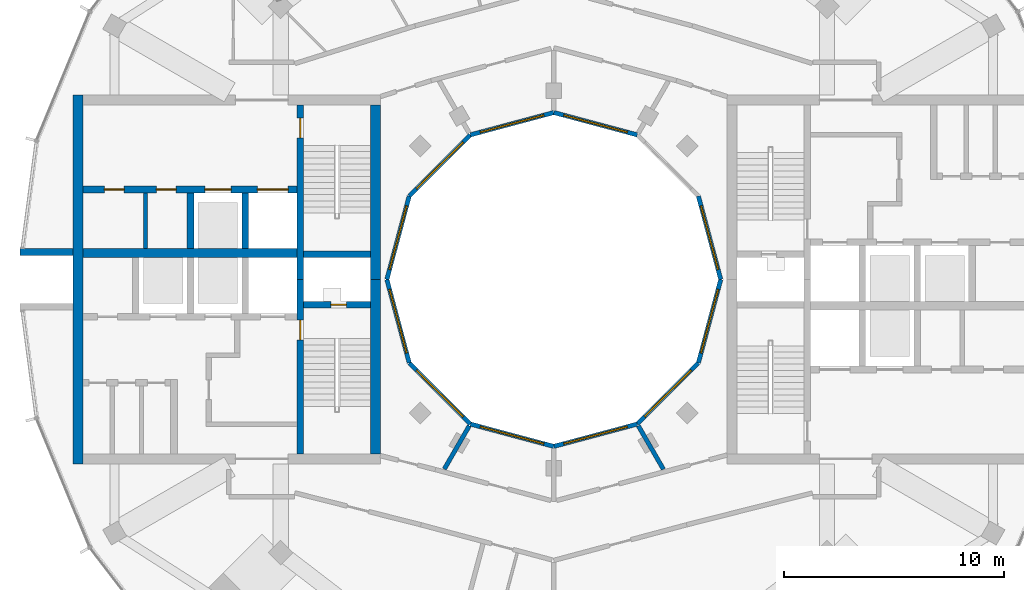
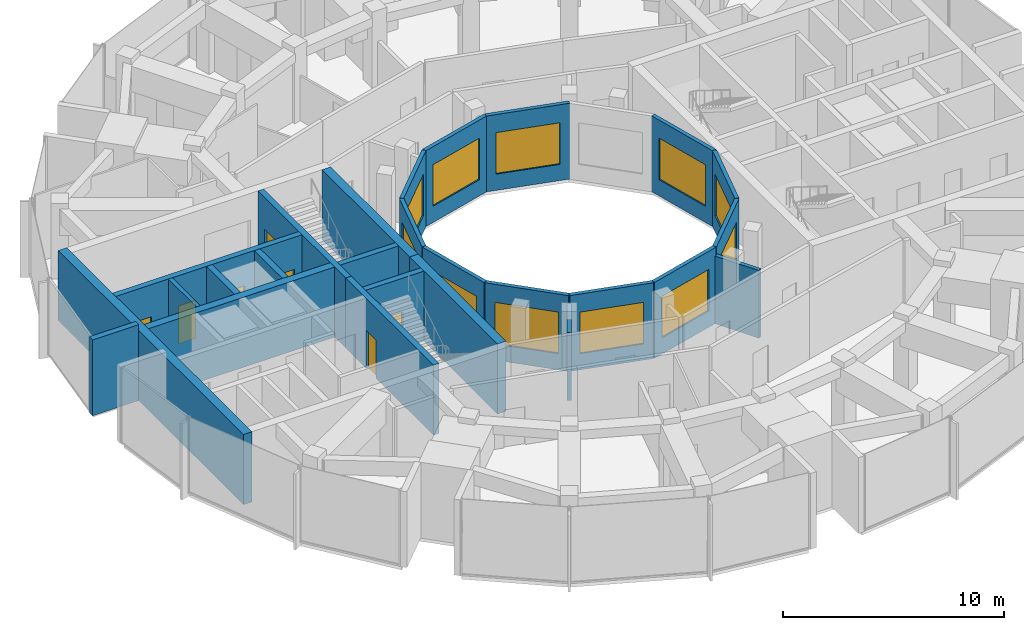
# One storey, part 9 of 14: 26 walls, 11 windows, 7 doors, 18 openings.
"""IFC4 building model written with IfcOpenShell, lengths in metres."""

from ifc_helpers import new_model, si_unit, direction, frame, frame_2d, origin, place, context, subcontext, project, spatial, rectangle, extrude, material, layer, layer_set, type_object, element, fill, save


model = new_model("IFC4")

# Units and contexts
model_context = context("Model", 3, precision=1e-05, world=origin(), true_north=direction((0.0, 1.0)))
body_context = subcontext(model_context, "Body", "Model", "MODEL_VIEW")
ifc_project = project(units=[si_unit("LENGTHUNIT", "METRE"), si_unit("AREAUNIT", "SQUARE_METRE"), si_unit("VOLUMEUNIT", "CUBIC_METRE"), si_unit("PLANEANGLEUNIT", "RADIAN"), si_unit("MASSUNIT", "GRAM", prefix="KILO")], contexts=[model_context])

# Site, building, storey
site_placement = place(None, origin())
site = spatial("IfcSite", under=ifc_project, at=site_placement, CompositionType="ELEMENT")
building_placement = place(site_placement, origin())
building = spatial("IfcBuilding", under=site, at=building_placement, Name="Torre Brocal", CompositionType="ELEMENT")
storey_placement = place(building_placement, frame((0.0, 0.0, 288.300048828125)))
storey = spatial("IfcBuildingStorey", under=building, at=storey_placement, Name="L66", CompositionType="ELEMENT", Elevation=288.300048828125)

# Wall
ifc_material_1 = material(Name="Masonry block", Category="masonry")
ifc_layer_1 = layer(ifc_material_1, 0.199951171875)
ifc_layer_set_1 = layer_set([ifc_layer_1], Name="Masonry block")
wall_type_1 = type_object("IfcWallType", Name="CORE PARTITION 200", PredefinedType="PARTITIONING", material=ifc_layer_set_1)
wall_1_placement = place(storey_placement, frame((61.39990234375, 78.949951171875, 0.0), z_axis=(0.0, 0.0, 1.0), x_axis=(0.0, -1.0, 0.0)))
element("IfcWall", 1, at=wall_1_placement, inside=storey, type_object=wall_type_1, Name="Wall CP200", PredefinedType="PARTITIONING", context=body_context, shape_type="SweptSolid", body=[
    extrude(rectangle(XDim=2.550048828125, YDim=0.199951171875, at=frame_2d((1.27490234375, 0.0))), origin(), (0.0, 0.0, 1.0), 3.8798828125),
])

# Wall, opening, door
ifc_material_2 = material(Name="Concrete C50", Category="concrete")
ifc_layer_2 = layer(ifc_material_2, 0.300048828125)
ifc_layer_set_2 = layer_set([ifc_layer_2], Name="Concrete C50")
wall_type_2 = type_object("IfcWallType", Name="CORE WALL 300 C50", PredefinedType="SHEAR", material=ifc_layer_set_2)
wall_2_placement = place(storey_placement, frame((68.449951171875, 75.0, 0.0), z_axis=(0.0, 0.0, 1.0), x_axis=(0.0, -1.0, 0.0)))
wall_2 = element("IfcWall", 2, at=wall_2_placement, inside=storey, type_object=wall_type_2, Name="Wall CW300-50", PredefinedType="SHEAR", context=body_context, shape_type="SweptSolid", body=[
    extrude(rectangle(XDim=7.949951171875, YDim=0.300048828125, at=frame_2d((3.97509765625, 0.0))), origin(), (0.0, 0.0, 1.0), 3.8798828125),
])
opening_1_placement = place(wall_2_placement, frame((1.85009765625, 0.0, 0.0)))
opening_1 = element("IfcOpeningElement", 3, at=opening_1_placement, cuts=wall_2, Name="Opening W-D02", PredefinedType="OPENING", context=body_context, shape_type="SweptSolid", body=[
    extrude(rectangle(XDim=0.89990234375, YDim=2.10009765625, at=frame_2d((0.449951171875, 1.050048828125))), frame((0.0, 0.159912109375, 0.0), z_axis=(0.0, -1.0, 0.0), x_axis=(1.0, 0.0, 0.0)), (0.0, 0.0, 1.0), 0.320068359375),
])
ifc_material_3 = material(Name="Steel A653", Category="steel")
door_type_1 = type_object("IfcDoorType", Name="STAIR DOOR FD120 900X2100", OperationType="SINGLE_SWING_RIGHT", PredefinedType="DOOR", material=ifc_material_3)
door_1_placement = place(opening_1_placement, origin())
door_1 = element("IfcDoor", 4, at=door_1_placement, inside=storey, type_object=door_type_1, Name="Door W-D02", OperationType="SINGLE_SWING_LEFT", OverallHeight=2.10009765625, OverallWidth=0.89990234375, PredefinedType="DOOR", context=body_context, shape_type="SweptSolid", body=[
    extrude(rectangle(XDim=0.89990234375, YDim=2.10009765625, at=frame_2d((0.449951171875, 1.050048828125))), frame((0.0, 0.02490234375, 0.0), z_axis=(0.0, -1.0, 0.0), x_axis=(1.0, 0.0, 0.0)), (0.0, 0.0, 1.0), 0.050048828125),
])
fill(opening_1, door_1)

wall_3_placement = place(storey_placement, frame((68.449951171875, 82.949951171875, 0.0), z_axis=(0.0, 0.0, 1.0), x_axis=(0.0, -1.0, 0.0)))
wall_3 = element("IfcWall", 5, at=wall_3_placement, inside=storey, type_object=wall_type_2, Name="Wall CW300-50", PredefinedType="SHEAR", context=body_context, shape_type="SweptSolid", body=[
    extrude(rectangle(XDim=7.949951171875, YDim=0.300048828125, at=frame_2d((3.97509765625, 0.0))), origin(), (0.0, 0.0, 1.0), 3.8798828125),
])
opening_2_placement = place(wall_3_placement, frame((0.60009765625, 0.0, 0.0)))
opening_2 = element("IfcOpeningElement", 6, at=opening_2_placement, cuts=wall_3, Name="Opening W-D03", PredefinedType="OPENING", context=body_context, shape_type="SweptSolid", body=[
    extrude(rectangle(XDim=0.89990234375, YDim=2.10009765625, at=frame_2d((0.449951171875, 1.050048828125))), frame((0.0, 0.159912109375, 0.0), z_axis=(0.0, -1.0, 0.0), x_axis=(1.0, 0.0, 0.0)), (0.0, 0.0, 1.0), 0.320068359375),
])
door_2_placement = place(opening_2_placement, origin())
door_2 = element("IfcDoor", 7, at=door_2_placement, inside=storey, type_object=door_type_1, Name="Door W-D03", OperationType="SINGLE_SWING_LEFT", OverallHeight=2.10009765625, OverallWidth=0.89990234375, PredefinedType="DOOR", context=body_context, shape_type="SweptSolid", body=[
    extrude(rectangle(XDim=0.89990234375, YDim=2.10009765625, at=frame_2d((0.449951171875, 1.050048828125))), frame((0.0, 0.02490234375, 0.0), z_axis=(0.0, -1.0, 0.0), x_axis=(1.0, 0.0, 0.0)), (0.0, 0.0, 1.0), 0.050048828125),
])
fill(opening_2, door_2)

wall_4_placement = place(storey_placement, frame((71.64990234375, 73.85009765625, 0.0), z_axis=(0.0, 0.0, 1.0), x_axis=(-1.0, 0.0, 0.0)))
wall_4 = element("IfcWall", 8, at=wall_4_placement, inside=storey, type_object=wall_type_2, Name="Wall CW300-50", PredefinedType="SHEAR", context=body_context, shape_type="SweptSolid", body=[
    extrude(rectangle(XDim=3.0498046875, YDim=0.300048828125, at=frame_2d((1.52490234375, 0.0))), origin(), (0.0, 0.0, 1.0), 3.8798828125),
])
opening_3_placement = place(wall_4_placement, frame((1.10009765625, 0.0, 0.0)))
opening_3 = element("IfcOpeningElement", 9, at=opening_3_placement, cuts=wall_4, Name="Opening W-D01", PredefinedType="OPENING", context=body_context, shape_type="SweptSolid", body=[
    extrude(rectangle(XDim=0.699951171875, YDim=2.0, at=frame_2d((0.35009765625, 1.0))), frame((0.0, 0.159912109375, 0.0), z_axis=(0.0, -1.0, 0.0), x_axis=(1.0, 0.0, 0.0)), (0.0, 0.0, 1.0), 0.320068359375),
])
ifc_material_4 = material(Name="Steel A653", Category="steel")
door_type_2 = type_object("IfcDoorType", Name="RISER DOOR FD120 700X2000", OperationType="SINGLE_SWING_LEFT", PredefinedType="DOOR", material=ifc_material_4)
door_3_placement = place(opening_3_placement, frame((0.699951171875, 0.0, 0.0), z_axis=(0.0, 0.0, 1.0), x_axis=(-1.0, 0.0, 0.0)))
door_3 = element("IfcDoor", 10, at=door_3_placement, inside=storey, type_object=door_type_2, Name="Door W-D01", OperationType="SINGLE_SWING_RIGHT", OverallHeight=2.0, OverallWidth=0.699951171875, PredefinedType="DOOR", context=body_context, shape_type="SweptSolid", body=[
    extrude(rectangle(XDim=0.699951171875, YDim=2.0, at=frame_2d((0.35009765625, 1.0))), frame((0.0, 0.02490234375, 0.0), z_axis=(0.0, -1.0, 0.0), x_axis=(1.0, 0.0, 0.0)), (0.0, 0.0, 1.0), 0.050048828125),
])
fill(opening_3, door_3)

# Wall
wall_5_placement = place(storey_placement, frame((71.64990234375, 76.14990234375, 0.0), z_axis=(0.0, 0.0, 1.0), x_axis=(-1.0, 0.0, 0.0)))
element("IfcWall", 11, at=wall_5_placement, inside=storey, type_object=wall_type_2, Name="Wall CW300-50", PredefinedType="SHEAR", context=body_context, shape_type="SweptSolid", body=[
    extrude(rectangle(XDim=3.0498046875, YDim=0.300048828125, at=frame_2d((1.52490234375, 0.0))), origin(), (0.0, 0.0, 1.0), 3.8798828125),
])

# Wall, openings, doors
wall_6_placement = place(storey_placement, frame((68.300048828125, 79.10009765625, 0.0), z_axis=(0.0, 0.0, 1.0), x_axis=(-1.0, 0.0, 0.0)))
wall_6 = element("IfcWall", 12, at=wall_6_placement, inside=storey, type_object=wall_type_2, Name="Wall CW300-50", PredefinedType="SHEAR", context=body_context, shape_type="SweptSolid", body=[
    extrude(rectangle(XDim=9.75, YDim=0.300048828125, at=frame_2d((4.875, 0.0))), origin(), (0.0, 0.0, 1.0), 3.8798828125),
])
opening_4_placement = place(wall_6_placement, frame((0.39990234375, 0.0, 0.0)))
opening_4 = element("IfcOpeningElement", 13, at=opening_4_placement, cuts=wall_6, Name="Opening LD14", PredefinedType="OPENING", context=body_context, shape_type="SweptSolid", body=[
    extrude(rectangle(XDim=1.39990234375, YDim=2.10009765625, at=frame_2d((0.699951171875, 1.050048828125))), frame((0.0, 0.159912109375, 0.0), z_axis=(0.0, -1.0, 0.0), x_axis=(1.0, 0.0, 0.0)), (0.0, 0.0, 1.0), 0.320068359375),
])
opening_5_placement = place(wall_6_placement, frame((3.0, 0.0, 0.0)))
opening_5 = element("IfcOpeningElement", 14, at=opening_5_placement, cuts=wall_6, Name="Opening LD12", PredefinedType="OPENING", context=body_context, shape_type="SweptSolid", body=[
    extrude(rectangle(XDim=1.199951171875, YDim=2.10009765625, at=frame_2d((0.60009765625, 1.050048828125))), frame((0.0, 0.159912109375, 0.0), z_axis=(0.0, -1.0, 0.0), x_axis=(1.0, 0.0, 0.0)), (0.0, 0.0, 1.0), 0.320068359375),
])
opening_6_placement = place(wall_6_placement, frame((5.5, 0.0, 0.0)))
opening_6 = element("IfcOpeningElement", 15, at=opening_6_placement, cuts=wall_6, Name="Opening W-D05", PredefinedType="OPENING", context=body_context, shape_type="SweptSolid", body=[
    extrude(rectangle(XDim=0.89990234375, YDim=2.10009765625, at=frame_2d((0.449951171875, 1.050048828125))), frame((0.0, 0.159912109375, 0.0), z_axis=(0.0, -1.0, 0.0), x_axis=(1.0, 0.0, 0.0)), (0.0, 0.0, 1.0), 0.320068359375),
])
opening_7_placement = place(wall_6_placement, frame((7.875, 0.0, 0.0)))
opening_7 = element("IfcOpeningElement", 16, at=opening_7_placement, cuts=wall_6, Name="Opening W-D06", PredefinedType="OPENING", context=body_context, shape_type="SweptSolid", body=[
    extrude(rectangle(XDim=0.89990234375, YDim=2.10009765625, at=frame_2d((0.449951171875, 1.050048828125))), frame((0.0, 0.159912109375, 0.0), z_axis=(0.0, -1.0, 0.0), x_axis=(1.0, 0.0, 0.0)), (0.0, 0.0, 1.0), 0.320068359375),
])
ifc_material_5 = material(Name="Stainless steel AISI 316", Category="steel")
door_type_3 = type_object("IfcDoorType", Name="LIFT LANDING DOOR 1200X2100", OperationType="DOUBLE_DOOR_SLIDING", PredefinedType="DOOR", material=ifc_material_5)
door_4_placement = place(opening_5_placement, origin())
door_4 = element("IfcDoor", 17, at=door_4_placement, inside=storey, type_object=door_type_3, Name="Door LD12", OperationType="DOUBLE_DOOR_SLIDING", OverallHeight=2.10009765625, OverallWidth=1.199951171875, PredefinedType="DOOR", context=body_context, shape_type="SweptSolid", body=[
    extrude(rectangle(XDim=1.199951171875, YDim=2.10009765625, at=frame_2d((0.60009765625, 1.050048828125))), frame((0.0, 0.02490234375, 0.0), z_axis=(0.0, -1.0, 0.0), x_axis=(1.0, 0.0, 0.0)), (0.0, 0.0, 1.0), 0.050048828125),
])
fill(opening_5, door_4)
ifc_material_6 = material(Name="Stainless steel AISI 316", Category="steel")
door_type_4 = type_object("IfcDoorType", Name="LIFT LANDING DOOR 1400X2100", OperationType="DOUBLE_DOOR_SLIDING", PredefinedType="DOOR", material=ifc_material_6)
door_5_placement = place(opening_4_placement, origin())
door_5 = element("IfcDoor", 18, at=door_5_placement, inside=storey, type_object=door_type_4, Name="Door LD14", OperationType="DOUBLE_DOOR_SLIDING", OverallHeight=2.10009765625, OverallWidth=1.39990234375, PredefinedType="DOOR", context=body_context, shape_type="SweptSolid", body=[
    extrude(rectangle(XDim=1.39990234375, YDim=2.10009765625, at=frame_2d((0.699951171875, 1.050048828125))), frame((0.0, 0.02490234375, 0.0), z_axis=(0.0, -1.0, 0.0), x_axis=(1.0, 0.0, 0.0)), (0.0, 0.0, 1.0), 0.050048828125),
])
fill(opening_4, door_5)
ifc_material_7 = material(Name="Steel A653", Category="steel")
door_type_5 = type_object("IfcDoorType", Name="ROOM DOOR FD30S 900X2100", OperationType="SINGLE_SWING_LEFT", PredefinedType="DOOR", material=ifc_material_7)
door_6_placement = place(opening_6_placement, origin())
door_6 = element("IfcDoor", 19, at=door_6_placement, inside=storey, type_object=door_type_5, Name="Door W-D05", OperationType="SINGLE_SWING_RIGHT", OverallHeight=2.10009765625, OverallWidth=0.89990234375, PredefinedType="DOOR", context=body_context, shape_type="SweptSolid", body=[
    extrude(rectangle(XDim=0.89990234375, YDim=2.10009765625, at=frame_2d((0.449951171875, 1.050048828125))), frame((0.0, 0.02490234375, 0.0), z_axis=(0.0, -1.0, 0.0), x_axis=(1.0, 0.0, 0.0)), (0.0, 0.0, 1.0), 0.050048828125),
])
fill(opening_6, door_6)
door_7_placement = place(opening_7_placement, origin())
door_7 = element("IfcDoor", 20, at=door_7_placement, inside=storey, type_object=door_type_5, Name="Door W-D06", OperationType="SINGLE_SWING_LEFT", OverallHeight=2.10009765625, OverallWidth=0.89990234375, PredefinedType="DOOR", context=body_context, shape_type="SweptSolid", body=[
    extrude(rectangle(XDim=0.89990234375, YDim=2.10009765625, at=frame_2d((0.449951171875, 1.050048828125))), frame((0.0, 0.02490234375, 0.0), z_axis=(0.0, -1.0, 0.0), x_axis=(1.0, 0.0, 0.0)), (0.0, 0.0, 1.0), 0.050048828125),
])
fill(opening_7, door_7)

# Walls
for number, where, z_axis, x_axis, name in (
    (21, (65.949951171875, 78.949951171875, 0.0), (0.0, 0.0, 1.0), (0.0, -1.0, 0.0), "Wall CW300-50"),
    (22, (63.449951171875, 78.949951171875, 0.0), (0.0, 0.0, 1.0), (0.0, -1.0, 0.0), "Wall CW300-50"),
):
    element("IfcWall", number, at=place(storey_placement, frame(where, z_axis=z_axis, x_axis=x_axis)), inside=storey, type_object=wall_type_2, Name=name, PredefinedType="SHEAR", context=body_context, shape_type="SweptSolid", body=[
        extrude(rectangle(XDim=2.550048828125, YDim=0.300048828125, at=frame_2d((1.27490234375, 0.0))), origin(), (0.0, 0.0, 1.0), 3.8798828125),
    ])
ifc_material_8 = material(Name="Concrete C50", Category="concrete")
ifc_layer_3 = layer(ifc_material_8, 0.39990234375)
ifc_layer_set_3 = layer_set([ifc_layer_3], Name="Concrete C50")
wall_type_3 = type_object("IfcWallType", Name="CORE WALL 400 C50", PredefinedType="SHEAR", material=ifc_layer_set_3)
wall_7_placement = place(storey_placement, frame((68.300048828125, 76.199951171875, 0.0), z_axis=(0.0, 0.0, 1.0), x_axis=(-1.0, 0.0, 0.0)))
element("IfcWall", 23, at=wall_7_placement, inside=storey, type_object=wall_type_3, Name="Wall CW400-50", PredefinedType="SHEAR", context=body_context, shape_type="SweptSolid", body=[
    extrude(rectangle(XDim=9.75, YDim=0.39990234375, at=frame_2d((4.875, 0.0))), origin(), (0.0, 0.0, 1.0), 3.8798828125),
])
ifc_material_9 = material(Name="Concrete C50", Category="concrete")
ifc_layer_4 = layer(ifc_material_9, 0.449951171875)
ifc_layer_set_4 = layer_set([ifc_layer_4], Name="Concrete C50")
wall_type_4 = type_object("IfcWallType", Name="CORE WALL 450 C50", PredefinedType="SHEAR", material=ifc_layer_set_4)
for number, where, z_axis, x_axis, name in (
    (24, (71.875, 75.0, 0.0), (0.0, 0.0, 1.0), (0.0, -1.0, 0.0), "Wall CW450-50"),
    (25, (71.875, 82.949951171875, 0.0), (0.0, 0.0, 1.0), (0.0, -1.0, 0.0), "Wall CW450-50"),
):
    element("IfcWall", number, at=place(storey_placement, frame(where, z_axis=z_axis, x_axis=x_axis)), inside=storey, type_object=wall_type_4, Name=name, PredefinedType="SHEAR", context=body_context, shape_type="SweptSolid", body=[
        extrude(rectangle(XDim=7.949951171875, YDim=0.449951171875, at=frame_2d((3.97509765625, 0.0))), origin(), (0.0, 0.0, 1.0), 3.8798828125),
    ])
wall_8_placement = place(storey_placement, frame((58.324951171875, 83.39990234375, 0.0), z_axis=(0.0, 0.0, 1.0), x_axis=(0.0, -1.0, 0.0)))
element("IfcWall", 26, at=wall_8_placement, inside=storey, type_object=wall_type_4, Name="Wall CW450-50", PredefinedType="SHEAR", context=body_context, shape_type="SweptSolid", body=[
    extrude(rectangle(XDim=16.7998046875, YDim=0.449951171875, at=frame_2d((8.39990234375, 0.0))), origin(), (0.0, 0.0, 1.0), 3.8798828125),
])
ifc_material_10 = material(Name="Concrete C50", Category="concrete")
ifc_layer_5 = layer(ifc_material_10, 0.300048828125)
ifc_layer_set_5 = layer_set([ifc_layer_5], Name="Concrete C50")
wall_type_5 = type_object("IfcWallType", Name="NOTCH RETURN WALL 300 C50", PredefinedType="NOTDEFINED", material=ifc_layer_set_5)
wall_9_placement = place(storey_placement, frame((58.10009765625, 76.25, 0.0), z_axis=(0.0, 0.0, 1.0), x_axis=(-1.0, 0.0, 0.0)))
element("IfcWall", 27, at=wall_9_placement, inside=storey, type_object=wall_type_5, Name="NOTCH RETURN WALL", PredefinedType="NOTDEFINED", context=body_context, shape_type="SweptSolid", body=[
    extrude(rectangle(XDim=2.415771484375, YDim=0.300048828125, at=frame_2d((1.2080078125, 0.0))), origin(), (0.0, 0.0, 1.0), 4.199951171875),
])
ifc_material_11 = material(Name="Gypsum board", Category="Gypsum")
ifc_layer_6 = layer(ifc_material_11, 0.199951171875)
ifc_layer_set_6 = layer_set([ifc_layer_6], Name="Gypsum board")
wall_type_6 = type_object("IfcWallType", Name="PARTITION 200 EI60", PredefinedType="PARTITIONING", material=ifc_layer_set_6)
wall_10_placement = place(storey_placement, frame((75.011962890625, 66.36328125, 0.0), z_axis=(0.0, 0.0, 1.0), x_axis=(0.500143511652, 0.865942531438, 0.0)))
element("IfcWall", 28, at=wall_10_placement, inside=storey, type_object=wall_type_6, Name="SERVICE ROOM WALL", PredefinedType="PARTITIONING", context=body_context, shape_type="SweptSolid", body=[
    extrude(rectangle(XDim=2.275146484375, YDim=0.199951171875, at=frame_2d((1.1376953125, 0.0))), origin(), (0.0, 0.0, 1.0), 3.75),
])
wall_11_placement = place(storey_placement, frame((83.849609375, 68.333251953125, 0.0), z_axis=(0.0, 0.0, 1.0), x_axis=(0.500080019051, -0.865979199835, 0.0)))
element("IfcWall", 29, at=wall_11_placement, inside=storey, type_object=wall_type_6, Name="SERVICE ROOM WALL", PredefinedType="PARTITIONING", context=body_context, shape_type="SweptSolid", body=[
    extrude(rectangle(XDim=2.285400390625, YDim=0.199951171875, at=frame_2d((1.142578125, 0.0))), origin(), (0.0, 0.0, 1.0), 3.75),
])

# Wall, opening, window
ifc_material_12 = material(Name="Concrete C40", Category="concrete")
ifc_layer_7 = layer(ifc_material_12, 0.199951171875)
ifc_layer_set_7 = layer_set([ifc_layer_7], Name="Concrete C40")
wall_type_7 = type_object("IfcWallType", Name="WELL FACADE WALL 200", PredefinedType="NOTDEFINED", material=ifc_layer_set_7)
wall_12_placement = place(storey_placement, frame((87.603515625, 75.0, 0.0), z_axis=(0.0, 0.0, 1.0), x_axis=(-0.258789828301, 0.965933654434, 0.0)))
wall_12 = element("IfcWall", 30, at=wall_12_placement, inside=storey, type_object=wall_type_7, Name="WELL FACADE WALL", PredefinedType="NOTDEFINED", context=body_context, shape_type="SweptSolid", body=[
    extrude(rectangle(XDim=3.935791015625, YDim=0.199951171875, at=frame_2d((1.9677734375, 0.0))), origin(), (0.0, 0.0, 1.0), 4.199951171875),
])
opening_8_placement = place(wall_12_placement, frame((0.468017578125, 0.0, 0.89990234375)))
opening_8 = element("IfcOpeningElement", 31, at=opening_8_placement, cuts=wall_12, Name="Opening W1", PredefinedType="OPENING", context=body_context, shape_type="SweptSolid", body=[
    extrude(rectangle(XDim=3.0, YDim=2.300048828125, at=frame_2d((1.5, 1.14990234375))), frame((0.0, 0.10986328125, 0.0), z_axis=(0.0, -1.0, 0.0), x_axis=(1.0, 0.0, 0.0)), (0.0, 0.0, 1.0), 0.219970703125),
])
ifc_material_13 = material(Name="Aluminium and glass", Category="aluminium")
window_type = type_object("IfcWindowType", Name="WELL WINDOW 3000X2300", PartitioningType="SINGLE_PANEL", PredefinedType="WINDOW", material=ifc_material_13)
window_1_placement = place(opening_8_placement, origin())
window_1 = element("IfcWindow", 32, at=window_1_placement, inside=storey, type_object=window_type, Name="WELL WINDOW 3000X2300", OverallHeight=2.300048828125, OverallWidth=3.0, PartitioningType="SINGLE_PANEL", PredefinedType="WINDOW", context=body_context, shape_type="SweptSolid", body=[
    extrude(rectangle(XDim=3.0, YDim=2.300048828125, at=frame_2d((1.5, 1.14990234375))), frame((0.0, 0.030029296875, 0.0), z_axis=(0.0, -1.0, 0.0), x_axis=(1.0, 0.0, 0.0)), (0.0, 0.0, 1.0), 0.06005859375),
])
fill(opening_8, window_1)

wall_13_placement = place(storey_placement, frame((83.8017578125, 81.5849609375, 0.0), z_axis=(0.0, 0.0, 1.0), x_axis=(-0.965933654434, 0.258789828301, 0.0)))
wall_13 = element("IfcWall", 33, at=wall_13_placement, inside=storey, type_object=wall_type_7, Name="WELL FACADE WALL", PredefinedType="NOTDEFINED", context=body_context, shape_type="SweptSolid", body=[
    extrude(rectangle(XDim=3.935791015625, YDim=0.199951171875, at=frame_2d((1.9677734375, 0.0))), origin(), (0.0, 0.0, 1.0), 4.199951171875),
])
opening_9_placement = place(wall_13_placement, frame((0.468017578125, 0.0, 0.89990234375)))
opening_9 = element("IfcOpeningElement", 34, at=opening_9_placement, cuts=wall_13, Name="Opening W1", PredefinedType="OPENING", context=body_context, shape_type="SweptSolid", body=[
    extrude(rectangle(XDim=3.0, YDim=2.300048828125, at=frame_2d((1.5, 1.14990234375))), frame((0.0, 0.10986328125, 0.0), z_axis=(0.0, -1.0, 0.0), x_axis=(1.0, 0.0, 0.0)), (0.0, 0.0, 1.0), 0.219970703125),
])
window_2_placement = place(opening_9_placement, origin())
window_2 = element("IfcWindow", 35, at=window_2_placement, inside=storey, type_object=window_type, Name="WELL WINDOW 3000X2300", OverallHeight=2.300048828125, OverallWidth=3.0, PartitioningType="SINGLE_PANEL", PredefinedType="WINDOW", context=body_context, shape_type="SweptSolid", body=[
    extrude(rectangle(XDim=3.0, YDim=2.300048828125, at=frame_2d((1.5, 1.14990234375))), frame((0.0, 0.030029296875, 0.0), z_axis=(0.0, -1.0, 0.0), x_axis=(1.0, 0.0, 0.0)), (0.0, 0.0, 1.0), 0.06005859375),
])
fill(opening_9, window_2)

wall_14_placement = place(storey_placement, frame((80.0, 82.603515625, 0.0), z_axis=(0.0, 0.0, 1.0), x_axis=(-0.965933654434, -0.258789828301, 0.0)))
wall_14 = element("IfcWall", 36, at=wall_14_placement, inside=storey, type_object=wall_type_7, Name="WELL FACADE WALL", PredefinedType="NOTDEFINED", context=body_context, shape_type="SweptSolid", body=[
    extrude(rectangle(XDim=3.935791015625, YDim=0.199951171875, at=frame_2d((1.9677734375, 0.0))), origin(), (0.0, 0.0, 1.0), 4.199951171875),
])
opening_10_placement = place(wall_14_placement, frame((0.468017578125, 0.0, 0.89990234375)))
opening_10 = element("IfcOpeningElement", 37, at=opening_10_placement, cuts=wall_14, Name="Opening W1", PredefinedType="OPENING", context=body_context, shape_type="SweptSolid", body=[
    extrude(rectangle(XDim=3.0, YDim=2.300048828125, at=frame_2d((1.5, 1.14990234375))), frame((0.0, 0.10986328125, 0.0), z_axis=(0.0, -1.0, 0.0), x_axis=(1.0, 0.0, 0.0)), (0.0, 0.0, 1.0), 0.219970703125),
])
window_3_placement = place(opening_10_placement, origin())
window_3 = element("IfcWindow", 38, at=window_3_placement, inside=storey, type_object=window_type, Name="WELL WINDOW 3000X2300", OverallHeight=2.300048828125, OverallWidth=3.0, PartitioningType="SINGLE_PANEL", PredefinedType="WINDOW", context=body_context, shape_type="SweptSolid", body=[
    extrude(rectangle(XDim=3.0, YDim=2.300048828125, at=frame_2d((1.5, 1.14990234375))), frame((0.0, 0.030029296875, 0.0), z_axis=(0.0, -1.0, 0.0), x_axis=(1.0, 0.0, 0.0)), (0.0, 0.0, 1.0), 0.06005859375),
])
fill(opening_10, window_3)

wall_15_placement = place(storey_placement, frame((76.1982421875, 81.5849609375, 0.0), z_axis=(0.0, 0.0, 1.0), x_axis=(-0.707106781187, -0.707106781187, 0.0)))
wall_15 = element("IfcWall", 39, at=wall_15_placement, inside=storey, type_object=wall_type_7, Name="WELL FACADE WALL", PredefinedType="NOTDEFINED", context=body_context, shape_type="SweptSolid", body=[
    extrude(rectangle(XDim=3.93603515625, YDim=0.199951171875, at=frame_2d((1.968017578125, 0.0))), origin(), (0.0, 0.0, 1.0), 4.199951171875),
])
opening_11_placement = place(wall_15_placement, frame((0.468017578125, 0.0, 0.89990234375)))
opening_11 = element("IfcOpeningElement", 40, at=opening_11_placement, cuts=wall_15, Name="Opening W1", PredefinedType="OPENING", context=body_context, shape_type="SweptSolid", body=[
    extrude(rectangle(XDim=3.0, YDim=2.300048828125, at=frame_2d((1.5, 1.14990234375))), frame((0.0, 0.10986328125, 0.0), z_axis=(0.0, -1.0, 0.0), x_axis=(1.0, 0.0, 0.0)), (0.0, 0.0, 1.0), 0.219970703125),
])
window_4_placement = place(opening_11_placement, origin())
window_4 = element("IfcWindow", 41, at=window_4_placement, inside=storey, type_object=window_type, Name="WELL WINDOW 3000X2300", OverallHeight=2.300048828125, OverallWidth=3.0, PartitioningType="SINGLE_PANEL", PredefinedType="WINDOW", context=body_context, shape_type="SweptSolid", body=[
    extrude(rectangle(XDim=3.0, YDim=2.300048828125, at=frame_2d((1.5, 1.14990234375))), frame((0.0, 0.030029296875, 0.0), z_axis=(0.0, -1.0, 0.0), x_axis=(1.0, 0.0, 0.0)), (0.0, 0.0, 1.0), 0.06005859375),
])
fill(opening_11, window_4)

wall_16_placement = place(storey_placement, frame((73.4150390625, 78.8017578125, 0.0), z_axis=(0.0, 0.0, 1.0), x_axis=(-0.258789828301, -0.965933654434, 0.0)))
wall_16 = element("IfcWall", 42, at=wall_16_placement, inside=storey, type_object=wall_type_7, Name="WELL FACADE WALL", PredefinedType="NOTDEFINED", context=body_context, shape_type="SweptSolid", body=[
    extrude(rectangle(XDim=3.935791015625, YDim=0.199951171875, at=frame_2d((1.9677734375, 0.0))), origin(), (0.0, 0.0, 1.0), 4.199951171875),
])
opening_12_placement = place(wall_16_placement, frame((0.468017578125, 0.0, 0.89990234375)))
opening_12 = element("IfcOpeningElement", 43, at=opening_12_placement, cuts=wall_16, Name="Opening W1", PredefinedType="OPENING", context=body_context, shape_type="SweptSolid", body=[
    extrude(rectangle(XDim=3.0, YDim=2.300048828125, at=frame_2d((1.5, 1.14990234375))), frame((0.0, 0.10986328125, 0.0), z_axis=(0.0, -1.0, 0.0), x_axis=(1.0, 0.0, 0.0)), (0.0, 0.0, 1.0), 0.219970703125),
])
window_5_placement = place(opening_12_placement, origin())
window_5 = element("IfcWindow", 44, at=window_5_placement, inside=storey, type_object=window_type, Name="WELL WINDOW 3000X2300", OverallHeight=2.300048828125, OverallWidth=3.0, PartitioningType="SINGLE_PANEL", PredefinedType="WINDOW", context=body_context, shape_type="SweptSolid", body=[
    extrude(rectangle(XDim=3.0, YDim=2.300048828125, at=frame_2d((1.5, 1.14990234375))), frame((0.0, 0.030029296875, 0.0), z_axis=(0.0, -1.0, 0.0), x_axis=(1.0, 0.0, 0.0)), (0.0, 0.0, 1.0), 0.06005859375),
])
fill(opening_12, window_5)

wall_17_placement = place(storey_placement, frame((72.396484375, 75.0, 0.0), z_axis=(0.0, 0.0, 1.0), x_axis=(0.258789828301, -0.965933654434, 0.0)))
wall_17 = element("IfcWall", 45, at=wall_17_placement, inside=storey, type_object=wall_type_7, Name="WELL FACADE WALL", PredefinedType="NOTDEFINED", context=body_context, shape_type="SweptSolid", body=[
    extrude(rectangle(XDim=3.935791015625, YDim=0.199951171875, at=frame_2d((1.9677734375, 0.0))), origin(), (0.0, 0.0, 1.0), 4.199951171875),
])
opening_13_placement = place(wall_17_placement, frame((0.468017578125, 0.0, 0.89990234375)))
opening_13 = element("IfcOpeningElement", 46, at=opening_13_placement, cuts=wall_17, Name="Opening W1", PredefinedType="OPENING", context=body_context, shape_type="SweptSolid", body=[
    extrude(rectangle(XDim=3.0, YDim=2.300048828125, at=frame_2d((1.5, 1.14990234375))), frame((0.0, 0.10986328125, 0.0), z_axis=(0.0, -1.0, 0.0), x_axis=(1.0, 0.0, 0.0)), (0.0, 0.0, 1.0), 0.219970703125),
])
window_6_placement = place(opening_13_placement, origin())
window_6 = element("IfcWindow", 47, at=window_6_placement, inside=storey, type_object=window_type, Name="WELL WINDOW 3000X2300", OverallHeight=2.300048828125, OverallWidth=3.0, PartitioningType="SINGLE_PANEL", PredefinedType="WINDOW", context=body_context, shape_type="SweptSolid", body=[
    extrude(rectangle(XDim=3.0, YDim=2.300048828125, at=frame_2d((1.5, 1.14990234375))), frame((0.0, 0.030029296875, 0.0), z_axis=(0.0, -1.0, 0.0), x_axis=(1.0, 0.0, 0.0)), (0.0, 0.0, 1.0), 0.06005859375),
])
fill(opening_13, window_6)

wall_18_placement = place(storey_placement, frame((73.4150390625, 71.1982421875, 0.0), z_axis=(0.0, 0.0, 1.0), x_axis=(0.707106781187, -0.707106781187, 0.0)))
wall_18 = element("IfcWall", 48, at=wall_18_placement, inside=storey, type_object=wall_type_7, Name="WELL FACADE WALL", PredefinedType="NOTDEFINED", context=body_context, shape_type="SweptSolid", body=[
    extrude(rectangle(XDim=3.93603515625, YDim=0.199951171875, at=frame_2d((1.968017578125, 0.0))), origin(), (0.0, 0.0, 1.0), 4.199951171875),
])
opening_14_placement = place(wall_18_placement, frame((0.468017578125, 0.0, 0.89990234375)))
opening_14 = element("IfcOpeningElement", 49, at=opening_14_placement, cuts=wall_18, Name="Opening W1", PredefinedType="OPENING", context=body_context, shape_type="SweptSolid", body=[
    extrude(rectangle(XDim=3.0, YDim=2.300048828125, at=frame_2d((1.5, 1.14990234375))), frame((0.0, 0.10986328125, 0.0), z_axis=(0.0, -1.0, 0.0), x_axis=(1.0, 0.0, 0.0)), (0.0, 0.0, 1.0), 0.219970703125),
])
window_7_placement = place(opening_14_placement, origin())
window_7 = element("IfcWindow", 50, at=window_7_placement, inside=storey, type_object=window_type, Name="WELL WINDOW 3000X2300", OverallHeight=2.300048828125, OverallWidth=3.0, PartitioningType="SINGLE_PANEL", PredefinedType="WINDOW", context=body_context, shape_type="SweptSolid", body=[
    extrude(rectangle(XDim=3.0, YDim=2.300048828125, at=frame_2d((1.5, 1.14990234375))), frame((0.0, 0.030029296875, 0.0), z_axis=(0.0, -1.0, 0.0), x_axis=(1.0, 0.0, 0.0)), (0.0, 0.0, 1.0), 0.06005859375),
])
fill(opening_14, window_7)

wall_19_placement = place(storey_placement, frame((76.1982421875, 68.4150390625, 0.0), z_axis=(0.0, 0.0, 1.0), x_axis=(0.965933654434, -0.258789828301, 0.0)))
wall_19 = element("IfcWall", 51, at=wall_19_placement, inside=storey, type_object=wall_type_7, Name="WELL FACADE WALL", PredefinedType="NOTDEFINED", context=body_context, shape_type="SweptSolid", body=[
    extrude(rectangle(XDim=3.935791015625, YDim=0.199951171875, at=frame_2d((1.9677734375, 0.0))), origin(), (0.0, 0.0, 1.0), 4.199951171875),
])
opening_15_placement = place(wall_19_placement, frame((0.468017578125, 0.0, 0.89990234375)))
opening_15 = element("IfcOpeningElement", 52, at=opening_15_placement, cuts=wall_19, Name="Opening W1", PredefinedType="OPENING", context=body_context, shape_type="SweptSolid", body=[
    extrude(rectangle(XDim=3.0, YDim=2.300048828125, at=frame_2d((1.5, 1.14990234375))), frame((0.0, 0.10986328125, 0.0), z_axis=(0.0, -1.0, 0.0), x_axis=(1.0, 0.0, 0.0)), (0.0, 0.0, 1.0), 0.219970703125),
])
window_8_placement = place(opening_15_placement, origin())
window_8 = element("IfcWindow", 53, at=window_8_placement, inside=storey, type_object=window_type, Name="WELL WINDOW 3000X2300", OverallHeight=2.300048828125, OverallWidth=3.0, PartitioningType="SINGLE_PANEL", PredefinedType="WINDOW", context=body_context, shape_type="SweptSolid", body=[
    extrude(rectangle(XDim=3.0, YDim=2.300048828125, at=frame_2d((1.5, 1.14990234375))), frame((0.0, 0.030029296875, 0.0), z_axis=(0.0, -1.0, 0.0), x_axis=(1.0, 0.0, 0.0)), (0.0, 0.0, 1.0), 0.06005859375),
])
fill(opening_15, window_8)

wall_20_placement = place(storey_placement, frame((80.0, 67.396484375, 0.0), z_axis=(0.0, 0.0, 1.0), x_axis=(0.965933654434, 0.258789828301, 0.0)))
wall_20 = element("IfcWall", 54, at=wall_20_placement, inside=storey, type_object=wall_type_7, Name="WELL FACADE WALL", PredefinedType="NOTDEFINED", context=body_context, shape_type="SweptSolid", body=[
    extrude(rectangle(XDim=3.935791015625, YDim=0.199951171875, at=frame_2d((1.9677734375, 0.0))), origin(), (0.0, 0.0, 1.0), 4.199951171875),
])
opening_16_placement = place(wall_20_placement, frame((0.468017578125, 0.0, 0.89990234375)))
opening_16 = element("IfcOpeningElement", 55, at=opening_16_placement, cuts=wall_20, Name="Opening W1", PredefinedType="OPENING", context=body_context, shape_type="SweptSolid", body=[
    extrude(rectangle(XDim=3.0, YDim=2.300048828125, at=frame_2d((1.5, 1.14990234375))), frame((0.0, 0.10986328125, 0.0), z_axis=(0.0, -1.0, 0.0), x_axis=(1.0, 0.0, 0.0)), (0.0, 0.0, 1.0), 0.219970703125),
])
window_9_placement = place(opening_16_placement, origin())
window_9 = element("IfcWindow", 56, at=window_9_placement, inside=storey, type_object=window_type, Name="WELL WINDOW 3000X2300", OverallHeight=2.300048828125, OverallWidth=3.0, PartitioningType="SINGLE_PANEL", PredefinedType="WINDOW", context=body_context, shape_type="SweptSolid", body=[
    extrude(rectangle(XDim=3.0, YDim=2.300048828125, at=frame_2d((1.5, 1.14990234375))), frame((0.0, 0.030029296875, 0.0), z_axis=(0.0, -1.0, 0.0), x_axis=(1.0, 0.0, 0.0)), (0.0, 0.0, 1.0), 0.06005859375),
])
fill(opening_16, window_9)

wall_21_placement = place(storey_placement, frame((83.8017578125, 68.4150390625, 0.0), z_axis=(0.0, 0.0, 1.0), x_axis=(0.707106781187, 0.707106781187, 0.0)))
wall_21 = element("IfcWall", 57, at=wall_21_placement, inside=storey, type_object=wall_type_7, Name="WELL FACADE WALL", PredefinedType="NOTDEFINED", context=body_context, shape_type="SweptSolid", body=[
    extrude(rectangle(XDim=3.93603515625, YDim=0.199951171875, at=frame_2d((1.968017578125, 0.0))), origin(), (0.0, 0.0, 1.0), 4.199951171875),
])
opening_17_placement = place(wall_21_placement, frame((0.468017578125, 0.0, 0.89990234375)))
opening_17 = element("IfcOpeningElement", 58, at=opening_17_placement, cuts=wall_21, Name="Opening W1", PredefinedType="OPENING", context=body_context, shape_type="SweptSolid", body=[
    extrude(rectangle(XDim=3.0, YDim=2.300048828125, at=frame_2d((1.5, 1.14990234375))), frame((0.0, 0.10986328125, 0.0), z_axis=(0.0, -1.0, 0.0), x_axis=(1.0, 0.0, 0.0)), (0.0, 0.0, 1.0), 0.219970703125),
])
window_10_placement = place(opening_17_placement, origin())
window_10 = element("IfcWindow", 59, at=window_10_placement, inside=storey, type_object=window_type, Name="WELL WINDOW 3000X2300", OverallHeight=2.300048828125, OverallWidth=3.0, PartitioningType="SINGLE_PANEL", PredefinedType="WINDOW", context=body_context, shape_type="SweptSolid", body=[
    extrude(rectangle(XDim=3.0, YDim=2.300048828125, at=frame_2d((1.5, 1.14990234375))), frame((0.0, 0.030029296875, 0.0), z_axis=(0.0, -1.0, 0.0), x_axis=(1.0, 0.0, 0.0)), (0.0, 0.0, 1.0), 0.06005859375),
])
fill(opening_17, window_10)

wall_22_placement = place(storey_placement, frame((86.5849609375, 71.1982421875, 0.0), z_axis=(0.0, 0.0, 1.0), x_axis=(0.258789828301, 0.965933654434, 0.0)))
wall_22 = element("IfcWall", 60, at=wall_22_placement, inside=storey, type_object=wall_type_7, Name="WELL FACADE WALL", PredefinedType="NOTDEFINED", context=body_context, shape_type="SweptSolid", body=[
    extrude(rectangle(XDim=3.935791015625, YDim=0.199951171875, at=frame_2d((1.9677734375, 0.0))), origin(), (0.0, 0.0, 1.0), 4.199951171875),
])
opening_18_placement = place(wall_22_placement, frame((0.468017578125, 0.0, 0.89990234375)))
opening_18 = element("IfcOpeningElement", 61, at=opening_18_placement, cuts=wall_22, Name="Opening W1", PredefinedType="OPENING", context=body_context, shape_type="SweptSolid", body=[
    extrude(rectangle(XDim=3.0, YDim=2.300048828125, at=frame_2d((1.5, 1.14990234375))), frame((0.0, 0.10986328125, 0.0), z_axis=(0.0, -1.0, 0.0), x_axis=(1.0, 0.0, 0.0)), (0.0, 0.0, 1.0), 0.219970703125),
])
window_11_placement = place(opening_18_placement, origin())
window_11 = element("IfcWindow", 62, at=window_11_placement, inside=storey, type_object=window_type, Name="WELL WINDOW 3000X2300", OverallHeight=2.300048828125, OverallWidth=3.0, PartitioningType="SINGLE_PANEL", PredefinedType="WINDOW", context=body_context, shape_type="SweptSolid", body=[
    extrude(rectangle(XDim=3.0, YDim=2.300048828125, at=frame_2d((1.5, 1.14990234375))), frame((0.0, 0.030029296875, 0.0), z_axis=(0.0, -1.0, 0.0), x_axis=(1.0, 0.0, 0.0)), (0.0, 0.0, 1.0), 0.06005859375),
])
fill(opening_18, window_11)

save(model, "model.ifc")
